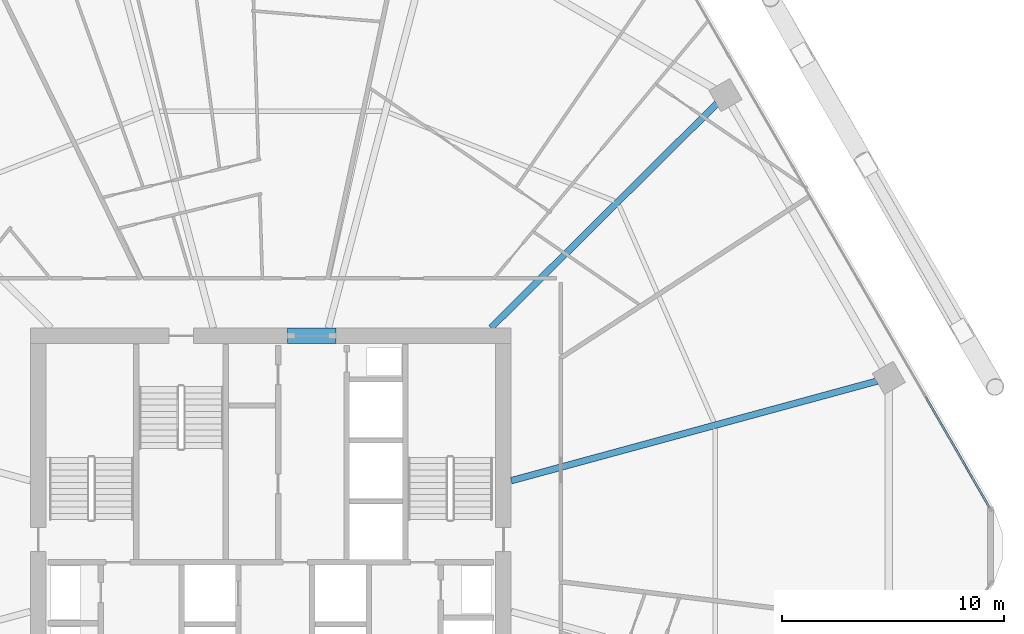
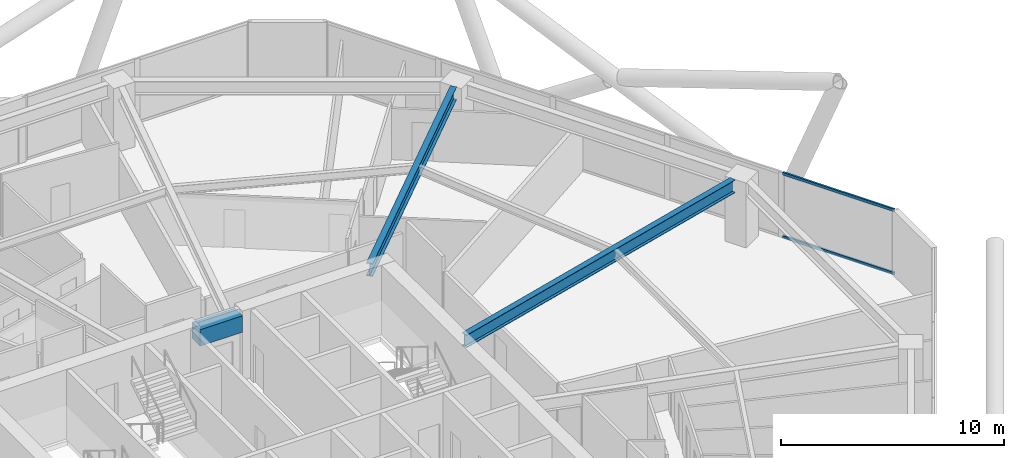
# One storey, part 19 of 35: 3 beams, 2 members, 1 element without a shape of its own.
"""IFC4 building model written with IfcOpenShell, lengths in metres."""

from ifc_helpers import new_model, si_unit, direction, frame, origin, origin_2d, place, context, subcontext, project, spatial, rectangle, hollow_rectangle, i_section, extrude, material, material_profile, profile_set, type_object, element, aggregate, save


model = new_model("IFC4")

# Units and contexts
model_context = context("Model", 3, precision=1e-05, world=origin(), true_north=direction((0.0, 1.0)))
body_context = subcontext(model_context, "Body", "Model", "MODEL_VIEW")
ifc_project = project(units=[si_unit("LENGTHUNIT", "METRE"), si_unit("AREAUNIT", "SQUARE_METRE"), si_unit("VOLUMEUNIT", "CUBIC_METRE"), si_unit("PLANEANGLEUNIT", "RADIAN"), si_unit("MASSUNIT", "GRAM", prefix="KILO")], contexts=[model_context])

# Site, building, storey
site_placement = place(None, origin())
site = spatial("IfcSite", under=ifc_project, at=site_placement, CompositionType="ELEMENT")
building_placement = place(site_placement, origin())
building = spatial("IfcBuilding", under=site, at=building_placement, Name="Zuhravey Tower", CompositionType="ELEMENT")
storey_placement = place(building_placement, frame((0.0, 0.0, 115.199951171875)))
storey = spatial("IfcBuildingStorey", under=building, at=storey_placement, Name="L28", CompositionType="ELEMENT", Elevation=115.199951171875)

# Beam
ifc_material_1 = material(Name="Concrete C60/75", Category="concrete")
ifc_material_profile_1 = material_profile(ifc_material_1, rectangle(XDim=0.699951171875, YDim=0.89990234375, at=origin_2d()), Name="RC-700x900")
ifc_profile_set_1 = profile_set([ifc_material_profile_1], Name="Concrete C60/75")
beam_type_1 = type_object("IfcBeamType", Name="Core Coupling Beam RC700x900", PredefinedType="LINTEL", material=ifc_profile_set_1)
beam_1_placement = place(storey_placement, frame((36.751953125, 41.5, 3.10009765625), z_axis=(1.0, 0.0, 0.0), x_axis=(0.0, 1.0, 0.0)))
element("IfcBeam", 1, at=beam_1_placement, inside=storey, type_object=beam_type_1, Name="L28 CB1 BM-L28-CB-N", PredefinedType="LINTEL", context=body_context, shape_type="SweptSolid", body=[
    extrude(rectangle(XDim=0.699951171875, YDim=0.89990234375, at=origin_2d()), origin(), (0.0, 0.0, 1.0), 2.196044921875),
])

# Curtain wall, members
ifc_material_2 = material(Name="Thermally broken anodised aluminium", Category="aluminium")
curtain_wall_type = type_object("IfcCurtainWallType", Name="Zone 1-2 Residential Curtain Wall CW3", PredefinedType="NOTDEFINED", material=ifc_material_2)
curtain_wall_placement = place(storey_placement, origin())
curtain_wall = element("IfcCurtainWall", 2, at=curtain_wall_placement, inside=storey, type_object=curtain_wall_type, Name="L28 CW3 CW-L28-F1-1", PredefinedType="NOTDEFINED")
ifc_material_3 = material(Name="Anodised aluminium", Category="aluminium")
ifc_material_profile_2 = material_profile(ifc_material_3, hollow_rectangle(XDim=0.090087890625, YDim=0.14990234375, WallThickness=0.0048828125, at=origin_2d()), Name="ALU-RHS-90x150x5")
ifc_profile_set_2 = profile_set([ifc_material_profile_2], Name="Anodised aluminium")
member_type = type_object("IfcMemberType", Name="Curtain-Wall Transom 90x150", PredefinedType="USERDEFINED", material=ifc_profile_set_2)
member_1_placement = place(storey_placement, frame((65.541015625, 38.750244140625, 0.045166015625), z_axis=(0.500024450573, -0.866011286779, 0.0), x_axis=(0.866011286779, 0.500024450573, 0.0)))
member_1 = element("IfcMember", 3, at=member_1_placement, type_object=member_type, Name="CW3 transom 5.1", ObjectType="TRANSOM", PredefinedType="USERDEFINED", context=body_context, shape_type="SweptSolid", body=[
    extrude(hollow_rectangle(XDim=0.090087890625, YDim=0.14990234375, WallThickness=0.0048828125, at=origin_2d()), origin(), (0.0, 0.0, 1.0), 5.784912109375),
])
member_2_placement = place(storey_placement, frame((65.541015625, 38.750244140625, 3.505126953125), z_axis=(0.500024450573, -0.866011286779, 0.0), x_axis=(0.866011286779, 0.500024450573, 0.0)))
member_2 = element("IfcMember", 4, at=member_2_placement, type_object=member_type, Name="CW3 transom 5.2", ObjectType="TRANSOM", PredefinedType="USERDEFINED", context=body_context, shape_type="SweptSolid", body=[
    extrude(hollow_rectangle(XDim=0.090087890625, YDim=0.14990234375, WallThickness=0.0048828125, at=origin_2d()), origin(), (0.0, 0.0, 1.0), 5.784912109375),
])
aggregate(curtain_wall, [member_1, member_2])

# Beams
ifc_material_4 = material(Name="Steel SM355", Category="steel")
ifc_material_profile_3 = material_profile(ifc_material_4, i_section(OverallWidth=0.300048828125, OverallDepth=0.699951171875, WebThickness=0.012939453125, FlangeThickness=0.02392578125, at=origin_2d()), Name="H-700x300x13x24")
ifc_profile_set_3 = profile_set([ifc_material_profile_3], Name="Steel SM355")
beam_type_2 = type_object("IfcBeamType", Name="Radial Primary Girder H700x300", PredefinedType="BEAM", material=ifc_profile_set_3)
beam_2_placement = place(storey_placement, frame((46.85302734375, 34.954345703125, 3.199951171875), z_axis=(0.964893166225, 0.262642680791, 0.0), x_axis=(-0.262642680791, 0.964893166225, 0.0)))
element("IfcBeam", 5, at=beam_2_placement, inside=storey, type_object=beam_type_2, Name="L28 RG1 BM-L28-RAD-01", PredefinedType="BEAM", context=body_context, shape_type="SweptSolid", body=[
    extrude(i_section(OverallWidth=0.300048828125, OverallDepth=0.699951171875, WebThickness=0.012939453125, FlangeThickness=0.02392578125, at=origin_2d()), origin(), (0.0, 0.0, 1.0), 17.102783203125),
])
beam_3_placement = place(storey_placement, frame((45.931396484375, 41.85302734375, 3.199951171875), z_axis=(0.709906230344, 0.704296204816, 0.0), x_axis=(-0.704296204816, 0.709906230344, 0.0)))
element("IfcBeam", 6, at=beam_3_placement, inside=storey, type_object=beam_type_2, Name="L28 RG1 BM-L28-RAD-02", PredefinedType="BEAM", context=body_context, shape_type="SweptSolid", body=[
    extrude(i_section(OverallWidth=0.300048828125, OverallDepth=0.699951171875, WebThickness=0.012939453125, FlangeThickness=0.02392578125, at=origin_2d()), origin(), (0.0, 0.0, 1.0), 14.361083984375),
])

save(model, "model.ifc")
